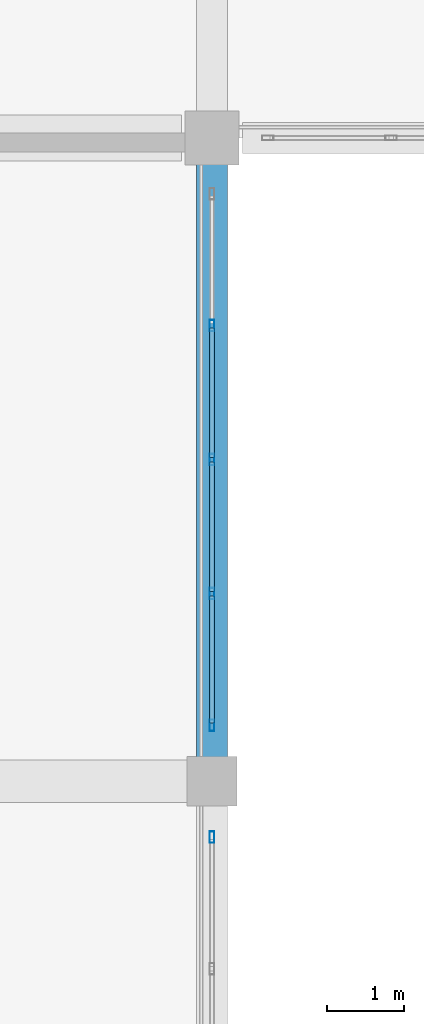
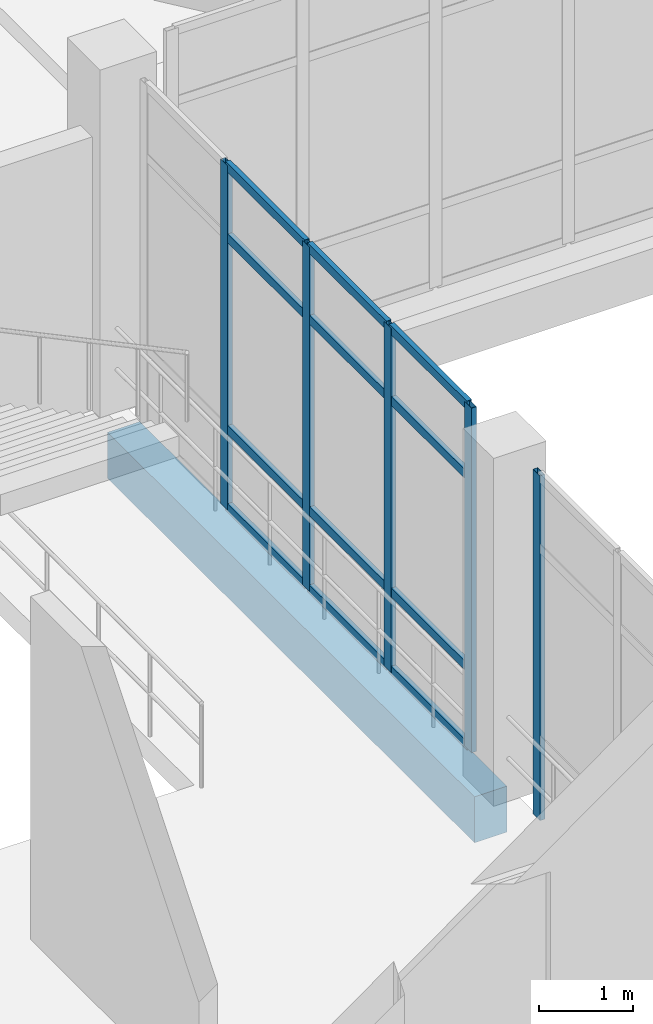
# One storey, part 35 of 102: 17 members, 1 beam, 2 elements without a shape of their own.
"""IFC4 building model written with IfcOpenShell, lengths in metres."""

from ifc_helpers import new_model, si_unit, direction, frame, origin, origin_2d, place, context, subcontext, project, spatial, rectangle, hollow_rectangle, extrude, material, layer, layer_set, material_profile, profile_set, type_object, element, aggregate, save


model = new_model("IFC4")

# Units and contexts
model_context = context("Model", 3, precision=1e-05, world=origin(), true_north=direction((0.0, 1.0)))
body_context = subcontext(model_context, "Body", "Model", "MODEL_VIEW")
ifc_project = project(units=[si_unit("LENGTHUNIT", "METRE"), si_unit("AREAUNIT", "SQUARE_METRE"), si_unit("VOLUMEUNIT", "CUBIC_METRE"), si_unit("PLANEANGLEUNIT", "RADIAN"), si_unit("MASSUNIT", "GRAM", prefix="KILO")], contexts=[model_context])

# Site, building, storey
site_placement = place(None, origin())
site = spatial("IfcSite", under=ifc_project, at=site_placement, CompositionType="ELEMENT")
building_placement = place(site_placement, origin())
building = spatial("IfcBuilding", under=site, at=building_placement, Name="Lornevale Opera House", CompositionType="ELEMENT")
storey_placement = place(building_placement, frame((0.0, 0.0, 5.39990234375)))
storey = spatial("IfcBuildingStorey", under=building, at=storey_placement, Name="L02", CompositionType="ELEMENT", Elevation=5.39990234375)

# Beam
ifc_material_1 = material(Name="Concrete 35 MPa (CSA A23.1 N)", Category="concrete")
ifc_material_profile_1 = material_profile(ifc_material_1, rectangle(XDim=0.39990234375, YDim=0.60009765625, at=origin_2d()), Name="RC400x600")
ifc_profile_set_1 = profile_set([ifc_material_profile_1], Name="Concrete 35 MPa (CSA A23.1 N)")
beam_type = type_object("IfcBeamType", Name="Concrete Spandrel Beam 400x600", PredefinedType="SPANDREL", material=ifc_profile_set_1)
beam_placement = place(storey_placement, frame((67.199951171875, 25.5, -0.599853515625), z_axis=(0.0, 1.0, 0.0), x_axis=(-1.0, 0.0, 0.0)))
element("IfcBeam", 1, at=beam_placement, inside=storey, type_object=beam_type, Name="Concrete Spandrel Beam 400x600 1892", PredefinedType="SPANDREL", context=body_context, shape_type="SweptSolid", body=[
    extrude(rectangle(XDim=0.39990234375, YDim=0.60009765625, at=origin_2d()), origin(), (0.0, 0.0, 1.0), 7.85009765625),
])

# Curtain wall, member
ifc_material_2 = material(Name="Anodized Oxide-Green Aluminium Framing", Category="aluminium")
ifc_layer = layer(ifc_material_2, 0.14990234375)
ifc_layer_set = layer_set([ifc_layer], Name="Anodized Oxide-Green Aluminium Framing")
curtain_wall_type = type_object("IfcCurtainWallType", Name="North-Light Clerestory Curtain Wall M1600", PredefinedType="NOTDEFINED", material=ifc_layer_set)
curtain_wall_1_placement = place(storey_placement, origin())
curtain_wall_1 = element("IfcCurtainWall", 2, at=curtain_wall_1_placement, inside=storey, type_object=curtain_wall_type, Name="North-Light Clerestory Curtain Wall M1600 CW-171", PredefinedType="NOTDEFINED")
ifc_material_profile_2 = material_profile(ifc_material_2, hollow_rectangle(XDim=0.06005859375, YDim=0.14990234375, WallThickness=0.00390625, at=origin_2d()), Name="ALU60x150x4")
ifc_profile_set_2 = profile_set([ifc_material_profile_2], Name="Anodized Oxide-Green Aluminium Framing")
member_type_1 = type_object("IfcMemberType", Name="Curtain Wall Mullion 60x150", PredefinedType="MULLION", material=ifc_profile_set_2)
member_1_placement = place(storey_placement, frame((67.199951171875, 24.469970703125, 0.0), z_axis=(0.0, 0.0, 1.0), x_axis=(-1.0, 0.0, 0.0)))
member_1 = element("IfcMember", 3, at=member_1_placement, type_object=member_type_1, Name="Curtain Wall Mullion 60x150 CW3463", PredefinedType="MULLION", context=body_context, shape_type="SweptSolid", body=[
    extrude(hollow_rectangle(XDim=0.06005859375, YDim=0.14990234375, WallThickness=0.00390625, at=origin_2d()), origin(), (0.0, 0.0, 1.0), 4.5),
])
aggregate(curtain_wall_1, [member_1])

# Curtain wall, members
curtain_wall_2_placement = place(storey_placement, origin())
curtain_wall_2 = element("IfcCurtainWall", 4, at=curtain_wall_2_placement, inside=storey, type_object=curtain_wall_type, Name="North-Light Clerestory Curtain Wall M1600 CW-172", PredefinedType="NOTDEFINED")
member_2_placement = place(storey_placement, frame((67.199951171875, 25.929931640625, 0.0), z_axis=(0.0, 0.0, 1.0), x_axis=(-1.0, 0.0, 0.0)))
member_2 = element("IfcMember", 5, at=member_2_placement, type_object=member_type_1, Name="Curtain Wall Mullion 60x150 CW3492", PredefinedType="MULLION", context=body_context, shape_type="SweptSolid", body=[
    extrude(hollow_rectangle(XDim=0.06005859375, YDim=0.14990234375, WallThickness=0.00390625, at=origin_2d()), origin(), (0.0, 0.0, 1.0), 4.5),
])
member_3_placement = place(storey_placement, frame((67.199951171875, 27.64990234375, 0.0), z_axis=(0.0, 0.0, 1.0), x_axis=(-1.0, 0.0, 0.0)))
member_3 = element("IfcMember", 6, at=member_3_placement, type_object=member_type_1, Name="Curtain Wall Mullion 60x150 CW3493", PredefinedType="MULLION", context=body_context, shape_type="SweptSolid", body=[
    extrude(hollow_rectangle(XDim=0.06005859375, YDim=0.14990234375, WallThickness=0.00390625, at=origin_2d()), origin(), (0.0, 0.0, 1.0), 4.5),
])
member_4_placement = place(storey_placement, frame((67.199951171875, 29.39990234375, 0.0), z_axis=(0.0, 0.0, 1.0), x_axis=(-1.0, 0.0, 0.0)))
member_4 = element("IfcMember", 7, at=member_4_placement, type_object=member_type_1, Name="Curtain Wall Mullion 60x150 CW3494", PredefinedType="MULLION", context=body_context, shape_type="SweptSolid", body=[
    extrude(hollow_rectangle(XDim=0.06005859375, YDim=0.14990234375, WallThickness=0.00390625, at=origin_2d()), origin(), (0.0, 0.0, 1.0), 4.5),
])
member_5_placement = place(storey_placement, frame((67.199951171875, 31.14990234375, 0.0), z_axis=(0.0, 0.0, 1.0), x_axis=(-1.0, 0.0, 0.0)))
member_5 = element("IfcMember", 8, at=member_5_placement, type_object=member_type_1, Name="Curtain Wall Mullion 60x150 CW3495", PredefinedType="MULLION", context=body_context, shape_type="SweptSolid", body=[
    extrude(hollow_rectangle(XDim=0.06005859375, YDim=0.14990234375, WallThickness=0.00390625, at=origin_2d()), origin(), (0.0, 0.0, 1.0), 4.5),
])
ifc_material_profile_3 = material_profile(ifc_material_2, hollow_rectangle(XDim=0.06005859375, YDim=0.114990234375, WallThickness=0.00390625, at=origin_2d()), Name="ALU60x115x4")
ifc_profile_set_3 = profile_set([ifc_material_profile_3], Name="Anodized Oxide-Green Aluminium Framing")
member_type_2 = type_object("IfcMemberType", Name="Curtain Wall Transom 60x115", PredefinedType="USERDEFINED", material=ifc_profile_set_3)
member_6_placement = place(storey_placement, frame((67.199951171875, 25.9599609375, 0.030029296875), z_axis=(0.0, 1.0, 0.0), x_axis=(-1.0, 0.0, 0.0)))
member_6 = element("IfcMember", 9, at=member_6_placement, type_object=member_type_2, Name="Curtain Wall Transom 60x115 CW3497", ObjectType="TRANSOM", PredefinedType="USERDEFINED", context=body_context, shape_type="SweptSolid", body=[
    extrude(hollow_rectangle(XDim=0.06005859375, YDim=0.114990234375, WallThickness=0.00390625, at=origin_2d()), origin(), (0.0, 0.0, 1.0), 1.66015625),
])
member_7_placement = place(storey_placement, frame((67.199951171875, 25.9599609375, 1.050048828125), z_axis=(0.0, 1.0, 0.0), x_axis=(-1.0, 0.0, 0.0)))
member_7 = element("IfcMember", 10, at=member_7_placement, type_object=member_type_2, Name="Curtain Wall Transom 60x115 CW3498", ObjectType="TRANSOM", PredefinedType="USERDEFINED", context=body_context, shape_type="SweptSolid", body=[
    extrude(hollow_rectangle(XDim=0.06005859375, YDim=0.114990234375, WallThickness=0.00390625, at=origin_2d()), origin(), (0.0, 0.0, 1.0), 1.66015625),
])
member_8_placement = place(storey_placement, frame((67.199951171875, 25.9599609375, 3.550048828125), z_axis=(0.0, 1.0, 0.0), x_axis=(-1.0, 0.0, 0.0)))
member_8 = element("IfcMember", 11, at=member_8_placement, type_object=member_type_2, Name="Curtain Wall Transom 60x115 CW3499", ObjectType="TRANSOM", PredefinedType="USERDEFINED", context=body_context, shape_type="SweptSolid", body=[
    extrude(hollow_rectangle(XDim=0.06005859375, YDim=0.114990234375, WallThickness=0.00390625, at=origin_2d()), origin(), (0.0, 0.0, 1.0), 1.66015625),
])
member_9_placement = place(storey_placement, frame((67.199951171875, 25.9599609375, 4.47021484375), z_axis=(0.0, 1.0, 0.0), x_axis=(-1.0, 0.0, 0.0)))
member_9 = element("IfcMember", 12, at=member_9_placement, type_object=member_type_2, Name="Curtain Wall Transom 60x115 CW3500", ObjectType="TRANSOM", PredefinedType="USERDEFINED", context=body_context, shape_type="SweptSolid", body=[
    extrude(hollow_rectangle(XDim=0.06005859375, YDim=0.114990234375, WallThickness=0.00390625, at=origin_2d()), origin(), (0.0, 0.0, 1.0), 1.66015625),
])
member_10_placement = place(storey_placement, frame((67.199951171875, 27.679931640625, 0.030029296875), z_axis=(0.0, 1.0, 0.0), x_axis=(-1.0, 0.0, 0.0)))
member_10 = element("IfcMember", 13, at=member_10_placement, type_object=member_type_2, Name="Curtain Wall Transom 60x115 CW3504", ObjectType="TRANSOM", PredefinedType="USERDEFINED", context=body_context, shape_type="SweptSolid", body=[
    extrude(hollow_rectangle(XDim=0.06005859375, YDim=0.114990234375, WallThickness=0.00390625, at=origin_2d()), origin(), (0.0, 0.0, 1.0), 1.690185546875),
])
member_11_placement = place(storey_placement, frame((67.199951171875, 27.679931640625, 1.050048828125), z_axis=(0.0, 1.0, 0.0), x_axis=(-1.0, 0.0, 0.0)))
member_11 = element("IfcMember", 14, at=member_11_placement, type_object=member_type_2, Name="Curtain Wall Transom 60x115 CW3505", ObjectType="TRANSOM", PredefinedType="USERDEFINED", context=body_context, shape_type="SweptSolid", body=[
    extrude(hollow_rectangle(XDim=0.06005859375, YDim=0.114990234375, WallThickness=0.00390625, at=origin_2d()), origin(), (0.0, 0.0, 1.0), 1.690185546875),
])
member_12_placement = place(storey_placement, frame((67.199951171875, 27.679931640625, 3.550048828125), z_axis=(0.0, 1.0, 0.0), x_axis=(-1.0, 0.0, 0.0)))
member_12 = element("IfcMember", 15, at=member_12_placement, type_object=member_type_2, Name="Curtain Wall Transom 60x115 CW3506", ObjectType="TRANSOM", PredefinedType="USERDEFINED", context=body_context, shape_type="SweptSolid", body=[
    extrude(hollow_rectangle(XDim=0.06005859375, YDim=0.114990234375, WallThickness=0.00390625, at=origin_2d()), origin(), (0.0, 0.0, 1.0), 1.690185546875),
])
member_13_placement = place(storey_placement, frame((67.199951171875, 27.679931640625, 4.47021484375), z_axis=(0.0, 1.0, 0.0), x_axis=(-1.0, 0.0, 0.0)))
member_13 = element("IfcMember", 16, at=member_13_placement, type_object=member_type_2, Name="Curtain Wall Transom 60x115 CW3507", ObjectType="TRANSOM", PredefinedType="USERDEFINED", context=body_context, shape_type="SweptSolid", body=[
    extrude(hollow_rectangle(XDim=0.06005859375, YDim=0.114990234375, WallThickness=0.00390625, at=origin_2d()), origin(), (0.0, 0.0, 1.0), 1.690185546875),
])
member_14_placement = place(storey_placement, frame((67.199951171875, 29.429931640625, 0.030029296875), z_axis=(0.0, 1.0, 0.0), x_axis=(-1.0, 0.0, 0.0)))
member_14 = element("IfcMember", 17, at=member_14_placement, type_object=member_type_2, Name="Curtain Wall Transom 60x115 CW3511", ObjectType="TRANSOM", PredefinedType="USERDEFINED", context=body_context, shape_type="SweptSolid", body=[
    extrude(hollow_rectangle(XDim=0.06005859375, YDim=0.114990234375, WallThickness=0.00390625, at=origin_2d()), origin(), (0.0, 0.0, 1.0), 1.690185546875),
])
member_15_placement = place(storey_placement, frame((67.199951171875, 29.429931640625, 1.050048828125), z_axis=(0.0, 1.0, 0.0), x_axis=(-1.0, 0.0, 0.0)))
member_15 = element("IfcMember", 18, at=member_15_placement, type_object=member_type_2, Name="Curtain Wall Transom 60x115 CW3512", ObjectType="TRANSOM", PredefinedType="USERDEFINED", context=body_context, shape_type="SweptSolid", body=[
    extrude(hollow_rectangle(XDim=0.06005859375, YDim=0.114990234375, WallThickness=0.00390625, at=origin_2d()), origin(), (0.0, 0.0, 1.0), 1.690185546875),
])
member_16_placement = place(storey_placement, frame((67.199951171875, 29.429931640625, 3.550048828125), z_axis=(0.0, 1.0, 0.0), x_axis=(-1.0, 0.0, 0.0)))
member_16 = element("IfcMember", 19, at=member_16_placement, type_object=member_type_2, Name="Curtain Wall Transom 60x115 CW3513", ObjectType="TRANSOM", PredefinedType="USERDEFINED", context=body_context, shape_type="SweptSolid", body=[
    extrude(hollow_rectangle(XDim=0.06005859375, YDim=0.114990234375, WallThickness=0.00390625, at=origin_2d()), origin(), (0.0, 0.0, 1.0), 1.690185546875),
])
member_17_placement = place(storey_placement, frame((67.199951171875, 29.429931640625, 4.47021484375), z_axis=(0.0, 1.0, 0.0), x_axis=(-1.0, 0.0, 0.0)))
member_17 = element("IfcMember", 20, at=member_17_placement, type_object=member_type_2, Name="Curtain Wall Transom 60x115 CW3514", ObjectType="TRANSOM", PredefinedType="USERDEFINED", context=body_context, shape_type="SweptSolid", body=[
    extrude(hollow_rectangle(XDim=0.06005859375, YDim=0.114990234375, WallThickness=0.00390625, at=origin_2d()), origin(), (0.0, 0.0, 1.0), 1.690185546875),
])
aggregate(curtain_wall_2, [member_2, member_3, member_4, member_5, member_6, member_7, member_8, member_9, member_10, member_11, member_12, member_13, member_14, member_15, member_16, member_17])

save(model, "model.ifc")
